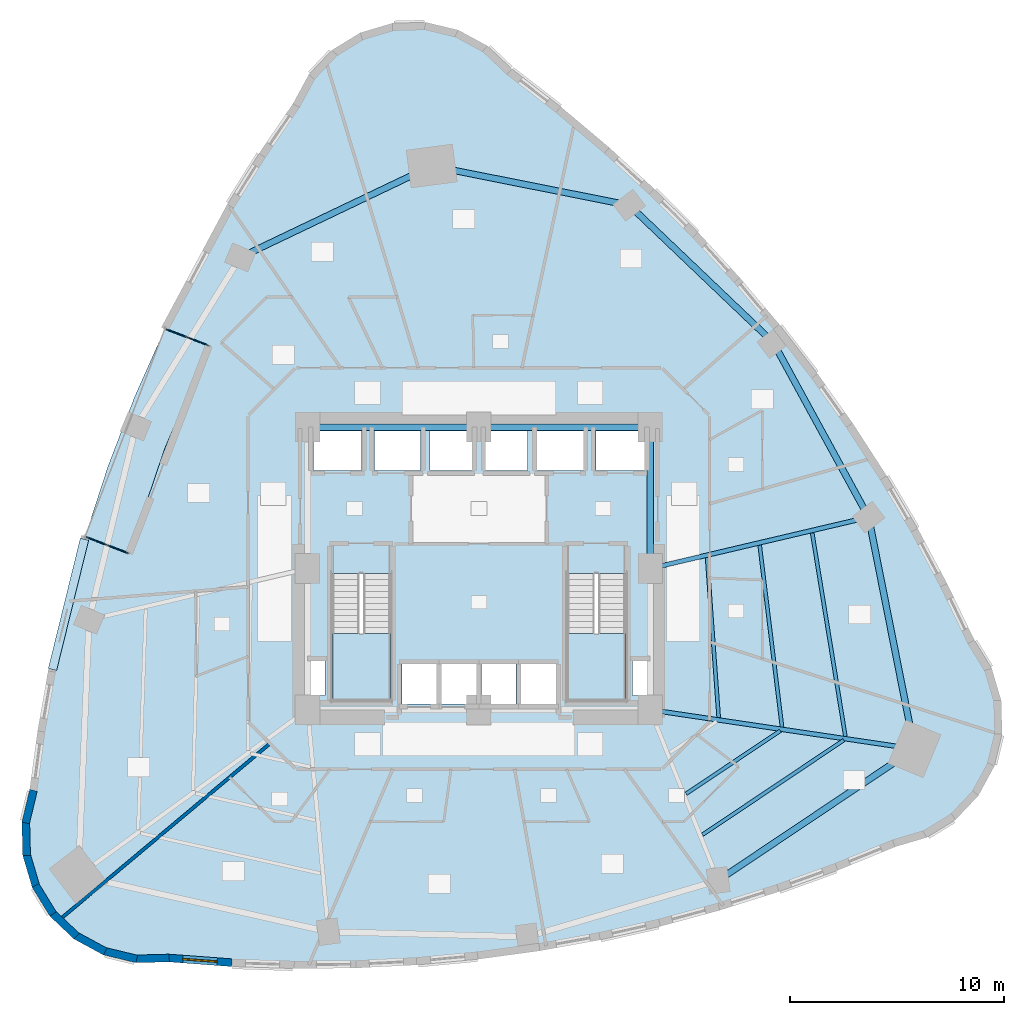
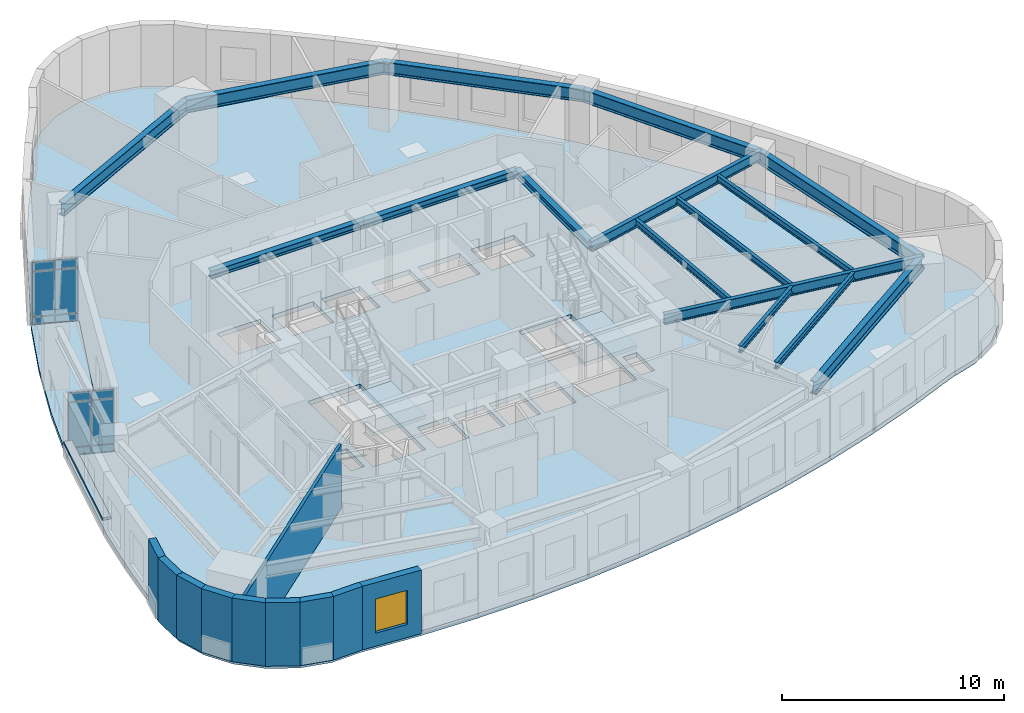
# One storey, part 4 of 12: 16 beams, 13 plates, 10 walls, 4 slabs, 1 window, 1 opening, 4 elements without a shape of their own.
"""IFC4 building model written with IfcOpenShell, lengths in metres."""

from ifc_helpers import new_model, si_unit, direction, frame, frame_2d, origin, origin_2d, place, context, subcontext, project, spatial, polyline, rectangle, i_section, outline, extrude, material, layer, layer_set, material_profile, profile_set, type_object, element, fill, aggregate, save


model = new_model("IFC4")

# Units and contexts
model_context = context("Model", 3, precision=1e-05, world=origin(), true_north=direction((0.0, 1.0)))
body_context = subcontext(model_context, "Body", "Model", "MODEL_VIEW")
ifc_project = project(units=[si_unit("LENGTHUNIT", "METRE"), si_unit("AREAUNIT", "SQUARE_METRE"), si_unit("VOLUMEUNIT", "CUBIC_METRE"), si_unit("PLANEANGLEUNIT", "RADIAN"), si_unit("MASSUNIT", "GRAM", prefix="KILO")], contexts=[model_context])

# Site, building, storey
site_placement = place(None, origin())
site = spatial("IfcSite", under=ifc_project, at=site_placement, CompositionType="ELEMENT")
building_placement = place(site_placement, origin())
building = spatial("IfcBuilding", under=site, at=building_placement, Name="Ndelora Gate Hotel", CompositionType="ELEMENT")
storey_placement = place(building_placement, frame((0.0, 0.0, 68.0)))
storey = spatial("IfcBuildingStorey", under=building, at=storey_placement, Name="L16", CompositionType="ELEMENT", Elevation=68.0)

# Beams
ifc_material_1 = material(Name="Steel S355", Category="steel")
ifc_material_profile_1 = material_profile(ifc_material_1, i_section(OverallWidth=0.300048828125, OverallDepth=0.39990234375, WebThickness=0.013427734375, FlangeThickness=0.02392578125, FilletRadius=0.027099609375, at=origin_2d()), Name="HEB 400")
ifc_profile_set_1 = profile_set([ifc_material_profile_1], Name="Steel S355")
beam_type_1 = type_object("IfcBeamType", Name="BM-CORE-400", PredefinedType="BEAM", material=ifc_profile_set_1)
for number, where, z_axis, x_axis, name in (
    (1, (-8.0, 6.60009765625, 3.300048828125), (1.0, 0.0, 0.0), (0.0, 1.0, 0.0), "L16 Core Tie Girder CC7-CC6"),
    (2, (0.0, 6.60009765625, 3.300048828125), (1.0, 0.0, 0.0), (0.0, 1.0, 0.0), "L16 Core Tie Girder CC6-CC5"),
):
    element("IfcBeam", number, at=place(storey_placement, frame(where, z_axis=z_axis, x_axis=x_axis)), inside=storey, type_object=beam_type_1, Name=name, PredefinedType="BEAM", context=body_context, shape_type="SweptSolid", body=[
        extrude(i_section(OverallWidth=0.300048828125, OverallDepth=0.39990234375, WebThickness=0.013427734375, FlangeThickness=0.02392578125, FilletRadius=0.027099609375, at=origin_2d()), origin(), (0.0, 0.0, 1.0), 8.0),
    ])
beam_1_placement = place(storey_placement, frame((8.0, 0.0, 3.300048828125), z_axis=(0.0, 1.0, 0.0), x_axis=(-1.0, 0.0, 0.0)))
element("IfcBeam", 3, at=beam_1_placement, inside=storey, type_object=beam_type_1, Name="L16 Core Tie Girder CC4-CC5", PredefinedType="BEAM", context=body_context, shape_type="SweptSolid", body=[
    extrude(i_section(OverallWidth=0.300048828125, OverallDepth=0.39990234375, WebThickness=0.013427734375, FlangeThickness=0.02392578125, FilletRadius=0.027099609375, at=origin_2d()), origin(), (0.0, 0.0, 1.0), 6.60009765625),
])
ifc_material_profile_2 = material_profile(ifc_material_1, i_section(OverallWidth=0.169921875, OverallDepth=0.360107421875, WebThickness=0.008056640625, FlangeThickness=0.0126953125, FilletRadius=0.01806640625, at=origin_2d()), Name="IPE 360")
ifc_profile_set_2 = profile_set([ifc_material_profile_2], Name="Steel S355")
beam_type_2 = type_object("IfcBeamType", Name="BM-JST-360", PredefinedType="JOIST", material=ifc_profile_set_2)
beam_2_placement = place(storey_placement, frame((9.685302734375, -10.520751953125, 3.320068359375), z_axis=(0.83093347578, 0.556371781121, 0.0), x_axis=(-0.556371781121, 0.83093347578, 0.0)))
element("IfcBeam", 4, at=beam_2_placement, inside=storey, type_object=beam_type_2, Name="L16 Secondary Composite Floor Joist MID-8", PredefinedType="JOIST", context=body_context, shape_type="SweptSolid", body=[
    extrude(i_section(OverallWidth=0.169921875, OverallDepth=0.360107421875, WebThickness=0.008056640625, FlangeThickness=0.0126953125, FilletRadius=0.01806640625, at=origin_2d()), origin(), (0.0, 0.0, 1.0), 5.2880859375),
])
beam_3_placement = place(storey_placement, frame((10.448486328125, -12.433349609375, 3.320068359375), z_axis=(0.830936507521, 0.556367253231, 0.0), x_axis=(-0.556367253231, 0.830936507521, 0.0)))
element("IfcBeam", 5, at=beam_3_placement, inside=storey, type_object=beam_type_2, Name="L16 Secondary Composite Floor Joist OUT-8", PredefinedType="JOIST", context=body_context, shape_type="SweptSolid", body=[
    extrude(i_section(OverallWidth=0.169921875, OverallDepth=0.360107421875, WebThickness=0.008056640625, FlangeThickness=0.0126953125, FilletRadius=0.01806640625, at=origin_2d()), origin(), (0.0, 0.0, 1.0), 7.936767578125),
])
beam_4_placement = place(storey_placement, frame((11.20263671875, -6.9609375, 3.320068359375), z_axis=(-0.072176031603, 0.997391909162, 0.0), x_axis=(-0.997391909162, -0.072176031603, 0.0)))
element("IfcBeam", 6, at=beam_4_placement, inside=storey, type_object=beam_type_2, Name="L16 Secondary Composite Floor Joist IN-9", PredefinedType="JOIST", context=body_context, shape_type="SweptSolid", body=[
    extrude(i_section(OverallWidth=0.169921875, OverallDepth=0.360107421875, WebThickness=0.008056640625, FlangeThickness=0.0126953125, FilletRadius=0.01806640625, at=origin_2d()), origin(), (0.0, 0.0, 1.0), 7.489013671875),
])
beam_5_placement = place(storey_placement, frame((14.160888671875, -7.400390625, 3.320068359375), z_axis=(-0.122030984704, 0.992526291225, 0.0), x_axis=(-0.992526291225, -0.122030984704, 0.0)))
element("IfcBeam", 7, at=beam_5_placement, inside=storey, type_object=beam_type_2, Name="L16 Secondary Composite Floor Joist MID-9", PredefinedType="JOIST", context=body_context, shape_type="SweptSolid", body=[
    extrude(i_section(OverallWidth=0.169921875, OverallDepth=0.360107421875, WebThickness=0.008056640625, FlangeThickness=0.0126953125, FilletRadius=0.01806640625, at=origin_2d()), origin(), (0.0, 0.0, 1.0), 8.548828125),
])
beam_6_placement = place(storey_placement, frame((17.12060546875, -7.840087890625, 3.320068359375), z_axis=(-0.160901992796, 0.986970388975, 0.0), x_axis=(-0.986970388975, -0.160901992796, 0.0)))
element("IfcBeam", 8, at=beam_6_placement, inside=storey, type_object=beam_type_2, Name="L16 Secondary Composite Floor Joist OUT-9", PredefinedType="JOIST", context=body_context, shape_type="SweptSolid", body=[
    extrude(i_section(OverallWidth=0.169921875, OverallDepth=0.360107421875, WebThickness=0.008056640625, FlangeThickness=0.0126953125, FilletRadius=0.01806640625, at=origin_2d()), origin(), (0.0, 0.0, 1.0), 9.6259765625),
])
ifc_material_profile_3 = material_profile(ifc_material_1, i_section(OverallWidth=0.2099609375, OverallDepth=0.550048828125, WebThickness=0.010986328125, FlangeThickness=0.01708984375, FilletRadius=0.02392578125, at=origin_2d()), Name="IPE 550")
ifc_profile_set_3 = profile_set([ifc_material_profile_3], Name="Steel S355")
beam_type_3 = type_object("IfcBeamType", Name="BM-RAD-550", PredefinedType="BEAM", material=ifc_profile_set_3)
beam_7_placement = place(storey_placement, frame((8.0, -6.60009765625, 3.22509765625), z_axis=(0.989209761041, -0.146506138649, 0.0), x_axis=(0.146506138649, 0.989209761041, 0.0)))
element("IfcBeam", 9, at=beam_7_placement, inside=storey, type_object=beam_type_3, Name="L16 Radial Floor Girder 9", PredefinedType="BEAM", context=body_context, shape_type="SweptSolid", body=[
    extrude(i_section(OverallWidth=0.2099609375, OverallDepth=0.550048828125, WebThickness=0.010986328125, FlangeThickness=0.01708984375, FilletRadius=0.02392578125, at=origin_2d()), origin(), (0.0, 0.0, 1.0), 12.48486328125),
])
beam_8_placement = place(storey_placement, frame((8.0, 0.0, 3.22509765625), z_axis=(0.973517848051, 0.22861102232, 0.0), x_axis=(-0.22861102232, 0.973517848051, 0.0)))
element("IfcBeam", 10, at=beam_8_placement, inside=storey, type_object=beam_type_3, Name="L16 Radial Floor Girder 10", PredefinedType="BEAM", context=body_context, shape_type="SweptSolid", body=[
    extrude(i_section(OverallWidth=0.2099609375, OverallDepth=0.550048828125, WebThickness=0.010986328125, FlangeThickness=0.01708984375, FilletRadius=0.02392578125, at=origin_2d()), origin(), (0.0, 0.0, 1.0), 10.48486328125),
])
ifc_material_profile_4 = material_profile(ifc_material_1, i_section(OverallWidth=0.300048828125, OverallDepth=0.699951171875, WebThickness=0.01708984375, FlangeThickness=0.031982421875, FilletRadius=0.027099609375, at=origin_2d()), Name="HEB 700")
ifc_profile_set_4 = profile_set([ifc_material_profile_4], Name="Steel S355")
beam_type_4 = type_object("IfcBeamType", Name="BM-RING-700", PredefinedType="SPANDREL", material=ifc_profile_set_4)
beam_9_placement = place(storey_placement, frame((-2.199951171875, 18.800048828125, 3.14990234375), z_axis=(-0.902476034566, -0.43074006899, 0.0), x_axis=(0.43074006899, -0.902476034566, 0.0)))
element("IfcBeam", 11, at=beam_9_placement, inside=storey, type_object=beam_type_4, Name="L16 Perimeter Spandrel Girder 1", PredefinedType="SPANDREL", context=body_context, shape_type="SweptSolid", body=[
    extrude(i_section(OverallWidth=0.300048828125, OverallDepth=0.699951171875, WebThickness=0.01708984375, FlangeThickness=0.031982421875, FilletRadius=0.027099609375, at=origin_2d()), origin(), (0.0, 0.0, 1.0), 9.91552734375),
])
beam_10_placement = place(storey_placement, frame((11.179443359375, -14.5693359375, 3.14990234375), z_axis=(0.830945983886, 0.556353099985, 0.0), x_axis=(-0.556353099985, 0.830945983886, 0.0)))
element("IfcBeam", 12, at=beam_10_placement, inside=storey, type_object=beam_type_4, Name="L16 Perimeter Spandrel Girder 8", PredefinedType="SPANDREL", context=body_context, shape_type="SweptSolid", body=[
    extrude(i_section(OverallWidth=0.300048828125, OverallDepth=0.699951171875, WebThickness=0.01708984375, FlangeThickness=0.031982421875, FilletRadius=0.027099609375, at=origin_2d()), origin(), (0.0, 0.0, 1.0), 11.036376953125),
])
beam_11_placement = place(storey_placement, frame((20.35009765625, -8.42919921875, 3.14990234375), z_axis=(-0.194163071691, 0.980969266385, 0.0), x_axis=(-0.980969266385, -0.194163071691, 0.0)))
element("IfcBeam", 13, at=beam_11_placement, inside=storey, type_object=beam_type_4, Name="L16 Perimeter Spandrel Girder 9", PredefinedType="SPANDREL", context=body_context, shape_type="SweptSolid", body=[
    extrude(i_section(OverallWidth=0.300048828125, OverallDepth=0.699951171875, WebThickness=0.01708984375, FlangeThickness=0.031982421875, FilletRadius=0.027099609375, at=origin_2d()), origin(), (0.0, 0.0, 1.0), 11.0361328125),
])
for number, where, z_axis, x_axis, name in (
    (14, (18.207275390625, 2.39697265625, 3.14990234375), (-0.479203651005, 0.87770374322, 0.0), (-0.87770374322, -0.479203651005, 0.0), "L16 Perimeter Spandrel Girder 10"),
    (15, (13.75390625, 10.5537109375, 3.14990234375), (-0.723784227769, 0.690026370244, 0.0), (-0.690026370244, -0.723784227769, 0.0), "L16 Perimeter Spandrel Girder 11"),
):
    element("IfcBeam", number, at=place(storey_placement, frame(where, z_axis=z_axis, x_axis=x_axis)), inside=storey, type_object=beam_type_4, Name=name, PredefinedType="SPANDREL", context=body_context, shape_type="SweptSolid", body=[
        extrude(i_section(OverallWidth=0.300048828125, OverallDepth=0.699951171875, WebThickness=0.01708984375, FlangeThickness=0.031982421875, FilletRadius=0.027099609375, at=origin_2d()), origin(), (0.0, 0.0, 1.0), 9.293212890625),
    ])
beam_12_placement = place(storey_placement, frame((7.027587890625, 16.96630859375, 3.14990234375), z_axis=(-0.980820478164, 0.194913287424, 0.0), x_axis=(-0.194913287424, -0.980820478164, 0.0)))
element("IfcBeam", 16, at=beam_12_placement, inside=storey, type_object=beam_type_4, Name="L16 Perimeter Spandrel Girder 12", PredefinedType="SPANDREL", context=body_context, shape_type="SweptSolid", body=[
    extrude(i_section(OverallWidth=0.300048828125, OverallDepth=0.699951171875, WebThickness=0.01708984375, FlangeThickness=0.031982421875, FilletRadius=0.027099609375, at=origin_2d()), origin(), (0.0, 0.0, 1.0), 9.407958984375),
])

# Curtain wall, plates
ifc_material_2 = material(Name="Bronze Anodised Unitised Aluminium and Low-E Glass", Category="aluminium")
ifc_layer_1 = layer(ifc_material_2, 0.199951171875)
ifc_layer_set_1 = layer_set([ifc_layer_1], Name="Bronze Anodised Unitised Aluminium and Low-E Glass")
curtain_wall_type = type_object("IfcCurtainWallType", Name="CW-SYS-3", PredefinedType="NOTDEFINED", material=ifc_layer_set_1)
curtain_wall_1_placement = place(storey_placement, origin())
curtain_wall_1 = element("IfcCurtainWall", 17, at=curtain_wall_1_placement, inside=storey, type_object=curtain_wall_type, Name="L16 Sky-Garden Loggia Side Curtain Wall CW3-1", PredefinedType="NOTDEFINED")
ifc_material_3 = material(Name="Solar-Control Low-E Insulated Glazing", Category="glass")
ifc_layer_2 = layer(ifc_material_3, 0.048095703125)
ifc_layer_set_2 = layer_set([ifc_layer_2], Name="Solar-Control Low-E Insulated Glazing")
plate_type_1 = type_object("IfcPlateType", Name="PL-CW-GLZ36", PredefinedType="CURTAIN_PANEL", material=ifc_layer_set_2)
plate_1_placement = place(storey_placement, frame((-13.13720703125, 10.613037109375, 0.05908203125), z_axis=(0.0, 0.0, 1.0), x_axis=(-0.93358321574, 0.358360683234, 0.0)))
plate_1 = element("IfcPlate", 18, at=plate_1_placement, type_object=plate_type_1, Name="CW3 panel 1.1", PredefinedType="CURTAIN_PANEL", context=body_context, shape_type="SweptSolid", body=[
    extrude(rectangle(XDim=1.014404296875, YDim=0.048095703125, at=origin_2d()), origin(), (0.0, 0.0, 1.0), 0.364501953125),
])
plate_2_placement = place(storey_placement, frame((-13.13720703125, 10.613037109375, 0.4765625), z_axis=(0.0, 0.0, 1.0), x_axis=(-0.93358321574, 0.358360683234, 0.0)))
plate_2 = element("IfcPlate", 19, at=plate_2_placement, type_object=plate_type_1, Name="CW3 panel 1.2", PredefinedType="CURTAIN_PANEL", context=body_context, shape_type="SweptSolid", body=[
    extrude(rectangle(XDim=1.014404296875, YDim=0.048095703125, at=origin_2d()), origin(), (0.0, 0.0, 1.0), 2.447021484375),
])
plate_3_placement = place(storey_placement, frame((-13.13720703125, 10.613037109375, 2.9765625), z_axis=(0.0, 0.0, 1.0), x_axis=(-0.93358321574, 0.358360683234, 0.0)))
plate_3 = element("IfcPlate", 20, at=plate_3_placement, type_object=plate_type_1, Name="CW3 panel 1.3", PredefinedType="CURTAIN_PANEL", context=body_context, shape_type="SweptSolid", body=[
    extrude(rectangle(XDim=1.014404296875, YDim=0.048095703125, at=origin_2d()), origin(), (0.0, 0.0, 1.0), 0.464599609375),
])
plate_4_placement = place(storey_placement, frame((-14.1337890625, 10.995361328125, 0.05908203125), z_axis=(0.0, 0.0, 1.0), x_axis=(-0.93358321574, 0.358360683234, 0.0)))
plate_4 = element("IfcPlate", 21, at=plate_4_placement, type_object=plate_type_1, Name="CW3 panel 2.1", PredefinedType="CURTAIN_PANEL", context=body_context, shape_type="SweptSolid", body=[
    extrude(rectangle(XDim=1.014404296875, YDim=0.048095703125, at=origin_2d()), origin(), (0.0, 0.0, 1.0), 0.364501953125),
])
plate_5_placement = place(storey_placement, frame((-14.1337890625, 10.995361328125, 0.4765625), z_axis=(0.0, 0.0, 1.0), x_axis=(-0.93358321574, 0.358360683234, 0.0)))
plate_5 = element("IfcPlate", 22, at=plate_5_placement, type_object=plate_type_1, Name="CW3 panel 2.2", PredefinedType="CURTAIN_PANEL", context=body_context, shape_type="SweptSolid", body=[
    extrude(rectangle(XDim=1.014404296875, YDim=0.048095703125, at=origin_2d()), origin(), (0.0, 0.0, 1.0), 2.447021484375),
])
plate_6_placement = place(storey_placement, frame((-14.1337890625, 10.995361328125, 2.9765625), z_axis=(0.0, 0.0, 1.0), x_axis=(-0.93358321574, 0.358360683234, 0.0)))
plate_6 = element("IfcPlate", 23, at=plate_6_placement, type_object=plate_type_1, Name="CW3 panel 2.3", PredefinedType="CURTAIN_PANEL", context=body_context, shape_type="SweptSolid", body=[
    extrude(rectangle(XDim=1.014404296875, YDim=0.048095703125, at=origin_2d()), origin(), (0.0, 0.0, 1.0), 0.464599609375),
])
aggregate(curtain_wall_1, [plate_1, plate_2, plate_3, plate_4, plate_5, plate_6])

curtain_wall_2_placement = place(storey_placement, origin())
curtain_wall_2 = element("IfcCurtainWall", 24, at=curtain_wall_2_placement, inside=storey, type_object=curtain_wall_type, Name="L16 Sky-Garden Loggia Side Curtain Wall CW3-2", PredefinedType="NOTDEFINED")
plate_7_placement = place(storey_placement, frame((-17.86083984375, 1.2861328125, 0.05908203125), z_axis=(0.0, 0.0, 1.0), x_axis=(0.933577378035, -0.35837589096, 0.0)))
plate_7 = element("IfcPlate", 25, at=plate_7_placement, type_object=plate_type_1, Name="CW3 panel 1.1", PredefinedType="CURTAIN_PANEL", context=body_context, shape_type="SweptSolid", body=[
    extrude(rectangle(XDim=1.014404296875, YDim=0.048095703125, at=origin_2d()), origin(), (0.0, 0.0, 1.0), 0.364501953125),
])
plate_8_placement = place(storey_placement, frame((-17.86083984375, 1.2861328125, 0.4765625), z_axis=(0.0, 0.0, 1.0), x_axis=(0.933577378035, -0.35837589096, 0.0)))
plate_8 = element("IfcPlate", 26, at=plate_8_placement, type_object=plate_type_1, Name="CW3 panel 1.2", PredefinedType="CURTAIN_PANEL", context=body_context, shape_type="SweptSolid", body=[
    extrude(rectangle(XDim=1.014404296875, YDim=0.048095703125, at=origin_2d()), origin(), (0.0, 0.0, 1.0), 2.447021484375),
])
plate_9_placement = place(storey_placement, frame((-17.86083984375, 1.2861328125, 2.9765625), z_axis=(0.0, 0.0, 1.0), x_axis=(0.933577378035, -0.35837589096, 0.0)))
plate_9 = element("IfcPlate", 27, at=plate_9_placement, type_object=plate_type_1, Name="CW3 panel 1.3", PredefinedType="CURTAIN_PANEL", context=body_context, shape_type="SweptSolid", body=[
    extrude(rectangle(XDim=1.014404296875, YDim=0.048095703125, at=origin_2d()), origin(), (0.0, 0.0, 1.0), 0.464599609375),
])
plate_10_placement = place(storey_placement, frame((-16.8642578125, 0.903564453125, 0.05908203125), z_axis=(0.0, 0.0, 1.0), x_axis=(0.933577378035, -0.35837589096, 0.0)))
plate_10 = element("IfcPlate", 28, at=plate_10_placement, type_object=plate_type_1, Name="CW3 panel 2.1", PredefinedType="CURTAIN_PANEL", context=body_context, shape_type="SweptSolid", body=[
    extrude(rectangle(XDim=1.014404296875, YDim=0.048095703125, at=origin_2d()), origin(), (0.0, 0.0, 1.0), 0.364501953125),
])
plate_11_placement = place(storey_placement, frame((-16.8642578125, 0.903564453125, 0.4765625), z_axis=(0.0, 0.0, 1.0), x_axis=(0.933577378035, -0.35837589096, 0.0)))
plate_11 = element("IfcPlate", 29, at=plate_11_placement, type_object=plate_type_1, Name="CW3 panel 2.2", PredefinedType="CURTAIN_PANEL", context=body_context, shape_type="SweptSolid", body=[
    extrude(rectangle(XDim=1.014404296875, YDim=0.048095703125, at=origin_2d()), origin(), (0.0, 0.0, 1.0), 2.447021484375),
])
plate_12_placement = place(storey_placement, frame((-16.8642578125, 0.903564453125, 2.9765625), z_axis=(0.0, 0.0, 1.0), x_axis=(0.933577378035, -0.35837589096, 0.0)))
plate_12 = element("IfcPlate", 30, at=plate_12_placement, type_object=plate_type_1, Name="CW3 panel 2.3", PredefinedType="CURTAIN_PANEL", context=body_context, shape_type="SweptSolid", body=[
    extrude(rectangle(XDim=1.014404296875, YDim=0.048095703125, at=origin_2d()), origin(), (0.0, 0.0, 1.0), 0.464599609375),
])
aggregate(curtain_wall_2, [plate_7, plate_8, plate_9, plate_10, plate_11, plate_12])

# Plate
ifc_material_4 = material(Name="Precast concrete C40/50", Category="concrete")
ifc_layer_3 = layer(ifc_material_4, 0.125)
ifc_layer_set_3 = layer_set([ifc_layer_3], Name="Precast concrete C40/50")
plate_type_2 = type_object("IfcPlateType", Name="PL-SILL-120", PredefinedType="USERDEFINED", material=ifc_layer_set_3)
plate_13_placement = place(storey_placement, frame((-19.16748046875, -1.674560546875, 0.78759765625), z_axis=(0.0, 0.0, 1.0), x_axis=(0.238702948851, 0.971092633177, 0.0)))
element("IfcPlate", 31, at=plate_13_placement, inside=storey, type_object=plate_type_2, Name="L16 Streamline Precast Ribbon Sill 16", ObjectType="RIBBON_SILL", PredefinedType="USERDEFINED", context=body_context, shape_type="SweptSolid", body=[
    extrude(rectangle(XDim=6.26611328125, YDim=0.39990234375, at=origin_2d()), origin(), (0.0, 0.0, 1.0), 0.125),
])

# Stair, slab
stair_type = type_object("IfcStairType", Name="STR-DOG-CORE", PredefinedType="HALF_TURN_STAIR", material=ifc_material_4)
stair_1_placement = place(storey_placement, origin())
stair_1 = element("IfcStair", 32, at=stair_1_placement, inside=storey, type_object=stair_type, Name="L16 Protected Core Exit Stair ST4", PredefinedType="HALF_TURN_STAIR")
ifc_layer_4 = layer(ifc_material_4, 0.219970703125)
ifc_layer_set_4 = layer_set([ifc_layer_4], Name="Precast concrete C40/50")
slab_type_1 = type_object("IfcSlabType", Name="SL-LAND-220", PredefinedType="LANDING", material=ifc_layer_set_4)
slab_1_placement = place(storey_placement, frame((0.0, 0.0, 1.675048828125)))
slab_1 = element("IfcSlab", 33, at=slab_1_placement, type_object=slab_type_1, Name="ST4 landing 1", PredefinedType="LANDING", context=body_context, shape_type="SweptSolid", body=[
    extrude(outline(polyline([(-6.85009765625, -3.030029296875), (-6.85009765625, -6.14990234375), (-4.1298828125, -6.14990234375), (-4.1298828125, -3.030029296875), (-6.85009765625, -3.030029296875)])), origin(), (0.0, 0.0, 1.0), 0.199951171875),
])
aggregate(stair_1, [slab_1])

stair_2_placement = place(storey_placement, origin())
stair_2 = element("IfcStair", 34, at=stair_2_placement, inside=storey, type_object=stair_type, Name="L16 Protected Core Exit Stair ST5", PredefinedType="HALF_TURN_STAIR")
slab_2_placement = place(storey_placement, frame((0.0, 0.0, 1.675048828125)))
slab_2 = element("IfcSlab", 35, at=slab_2_placement, type_object=slab_type_1, Name="ST5 landing 1", PredefinedType="LANDING", context=body_context, shape_type="SweptSolid", body=[
    extrude(outline(polyline([(4.1298828125, -3.030029296875), (4.1298828125, -6.14990234375), (6.85009765625, -6.14990234375), (6.85009765625, -3.030029296875), (4.1298828125, -3.030029296875)])), origin(), (0.0, 0.0, 1.0), 0.199951171875),
])
aggregate(stair_2, [slab_2])

# Slabs
ifc_layer_5 = layer(ifc_material_4, 0.239990234375)
ifc_layer_set_5 = layer_set([ifc_layer_5], Name="Precast concrete C40/50")
slab_type_2 = type_object("IfcSlabType", Name="SL-TER-240", PredefinedType="FLOOR", material=ifc_layer_set_5)
slab_3_placement = place(storey_placement, frame((0.0, 0.0, -0.239990234375)))
element("IfcSlab", 36, at=slab_3_placement, inside=storey, type_object=slab_type_2, Name="L16 Sky Garden Loggia Terrace Slab", PredefinedType="FLOOR", context=body_context, shape_type="SweptSolid", body=[
    extrude(outline(polyline([(-12.608642578125, 10.409912109375), (-14.66259765625, 11.198486328125), (-16.059326171875, 8.058349609375), (-17.326416015625, 4.757080078125), (-18.389404296875, 1.489013671875), (-16.335693359375, 0.70068359375), (-14.660888671875, 5.627685546875), (-12.608642578125, 10.409912109375)])), origin(), (0.0, 0.0, 1.0), 0.239990234375),
])
ifc_material_5 = material(Name="Concrete C40/50", Category="concrete")
ifc_layer_6 = layer(ifc_material_5, 0.25)
ifc_layer_set_6 = layer_set([ifc_layer_6], Name="Concrete C40/50")
slab_type_3 = type_object("IfcSlabType", Name="SL-TWR-250", PredefinedType="FLOOR", material=ifc_layer_set_6)
slab_4_placement = place(storey_placement, frame((0.0, 0.0, -0.25)))
element("IfcSlab", 37, at=slab_4_placement, inside=storey, type_object=slab_type_3, Name="L16 Structural Floor Slab", PredefinedType="FLOOR", context=body_context, shape_type="SweptSolid", body=[
    extrude(outline(polyline([(1.40869140625, 23.214111328125), (0.310546875, 24.25634765625), (-1.02001953125, 24.978759765625), (-2.492431640625, 25.332275390625), (-4.006103515625, 25.29248046875), (-5.457763671875, 24.862548828125), (-6.748779296875, 24.0712890625), (-7.791015625, 22.97314453125), (-8.513427734375, 21.642578125), (-10.101806640625, 19.312255859375), (-11.584716796875, 16.941650390625), (-14.66259765625, 11.198486328125), (-12.608642578125, 10.409912109375), (-14.660888671875, 5.627685546875), (-16.335693359375, 0.70068359375), (-18.389404296875, 1.489013671875), (-19.9453125, -4.83837890625), (-20.429443359375, -7.592529296875), (-20.808349609375, -10.386962890625), (-21.161865234375, -11.859130859375), (-21.122314453125, -13.372802734375), (-20.692138671875, -14.82470703125), (-19.90087890625, -16.115478515625), (-18.802734375, -17.15771484375), (-17.47216796875, -17.88037109375), (-16.0, -18.233642578125), (-14.486328125, -18.194091796875), (-11.557373046875, -18.410888671875), (-8.6474609375, -18.5068359375), (-5.756591796875, -18.48193359375), (-2.885009765625, -18.336669921875), (-0.03271484375, -18.0703125), (2.80078125, -17.68359375), (5.614990234375, -17.17578125), (8.41015625, -16.547607421875), (11.186279296875, -15.798583984375), (13.943115234375, -14.9287109375), (16.680908203125, -13.938232421875), (19.3994140625, -12.8271484375), (20.851318359375, -12.397216796875), (22.142333984375, -11.60595703125), (23.1845703125, -10.5078125), (23.906982421875, -9.177001953125), (24.260498046875, -7.704833984375), (24.220703125, -6.191162109375), (23.790771484375, -4.739501953125), (22.999755859375, -3.448486328125), (21.722900390625, -0.803466796875), (20.35107421875, 1.764404296875), (18.88427734375, 4.255615234375), (17.322509765625, 6.669677734375), (15.665771484375, 9.007080078125), (13.9140625, 11.267333984375), (12.067138671875, 13.45068359375), (10.12548828125, 15.55712890625), (8.0888671875, 17.5869140625), (5.95703125, 19.53955078125), (3.73046875, 21.415283203125), (1.40869140625, 23.214111328125)]), holes=[polyline([(-6.85009765625, -0.22998046875), (-6.85009765625, -6.14990234375), (-4.1298828125, -6.14990234375), (-4.1298828125, -0.22998046875), (-6.85009765625, -0.22998046875)]), polyline([(4.1298828125, -0.22998046875), (4.1298828125, -6.14990234375), (6.85009765625, -6.14990234375), (6.85009765625, -0.22998046875), (4.1298828125, -0.22998046875)]), polyline([(-7.72998046875, 4.570068359375), (-5.469970703125, 4.570068359375), (-5.469970703125, 6.429931640625), (-7.72998046875, 6.429931640625), (-7.72998046875, 4.570068359375)]), polyline([(5.469970703125, 4.570068359375), (7.72998046875, 4.570068359375), (7.72998046875, 6.429931640625), (5.469970703125, 6.429931640625), (5.469970703125, 4.570068359375)]), polyline([(-4.8798828125, 4.570068359375), (-2.719970703125, 4.570068359375), (-2.719970703125, 6.429931640625), (-4.8798828125, 6.429931640625), (-4.8798828125, 4.570068359375)]), polyline([(2.719970703125, 4.570068359375), (4.8798828125, 4.570068359375), (4.8798828125, 6.429931640625), (2.719970703125, 6.429931640625), (2.719970703125, 4.570068359375)]), polyline([(-3.60009765625, -6.330078125), (-1.97998046875, -6.330078125), (-1.97998046875, -4.469970703125), (-3.60009765625, -4.469970703125), (-3.60009765625, -6.330078125)]), polyline([(-1.739990234375, -6.330078125), (-0.1201171875, -6.330078125), (-0.1201171875, -4.469970703125), (-1.739990234375, -4.469970703125), (-1.739990234375, -6.330078125)]), polyline([(0.1201171875, -6.330078125), (1.739990234375, -6.330078125), (1.739990234375, -4.469970703125), (0.1201171875, -4.469970703125), (0.1201171875, -6.330078125)]), polyline([(1.97998046875, -6.330078125), (3.60009765625, -6.330078125), (3.60009765625, -4.469970703125), (1.97998046875, -4.469970703125), (1.97998046875, -6.330078125)]), polyline([(-2.280029296875, 4.570068359375), (-0.320068359375, 4.570068359375), (-0.320068359375, 6.429931640625), (-2.280029296875, 6.429931640625), (-2.280029296875, 4.570068359375)]), polyline([(0.320068359375, 4.570068359375), (2.280029296875, 4.570068359375), (2.280029296875, 6.429931640625), (0.320068359375, 6.429931640625), (0.320068359375, 4.570068359375)]), polyline([(-7.89990234375, -5.919921875), (-7.179931640625, -5.919921875), (-7.179931640625, -4.320068359375), (-7.89990234375, -4.320068359375), (-7.89990234375, -5.919921875)]), polyline([(7.179931640625, -5.919921875), (7.89990234375, -5.919921875), (7.89990234375, -4.320068359375), (7.179931640625, -4.320068359375), (7.179931640625, -5.919921875)])]), origin(), (0.0, 0.0, 1.0), 0.25),
])

# Walls
ifc_material_6 = material(Name="Clay Brick Masonry", Category="masonry")
ifc_layer_7 = layer(ifc_material_6, 0.360107421875)
ifc_layer_set_7 = layer_set([ifc_layer_7], Name="Clay Brick Masonry")
wall_type_1 = type_object("IfcWallType", Name="WL-BRICK-360", PredefinedType="SOLIDWALL", material=ifc_layer_set_7)
for number, where, z_axis, x_axis, name in (
    (38, (-21.16748046875, -11.883544921875, 0.0), (0.0, 0.0, 1.0), (0.233378856641, 0.972385884962, 0.0), "L16 Tower Brick Pier-and-Spandrel Wall TWR-19"),
    (39, (-21.12158203125, -13.397705078125, 0.0), (0.0, 0.0, 1.0), (-0.026224581645, 0.999656076517, 0.0), "L16 Tower Brick Pier-and-Spandrel Wall TWR-20"),
):
    element("IfcWall", number, at=place(storey_placement, frame(where, z_axis=z_axis, x_axis=x_axis)), inside=storey, type_object=wall_type_1, Name=name, PredefinedType="SOLIDWALL", context=body_context, shape_type="SweptSolid", body=[
        extrude(rectangle(XDim=1.56396484375, YDim=0.360107421875, at=frame_2d((0.781982421875, 0.0))), origin(), (0.0, 0.0, 1.0), 3.5),
    ])
wall_1_placement = place(storey_placement, frame((-20.68505859375, -14.8486328125, 0.0), z_axis=(0.0, 0.0, 1.0), x_axis=(-0.284067072714, 0.958804410816, 0.0)))
element("IfcWall", 40, at=wall_1_placement, inside=storey, type_object=wall_type_1, Name="L16 Tower Brick Pier-and-Spandrel Wall TWR-21", PredefinedType="SOLIDWALL", context=body_context, shape_type="SweptSolid", body=[
    extrude(rectangle(XDim=1.564208984375, YDim=0.360107421875, at=frame_2d((0.7822265625, 0.0))), origin(), (0.0, 0.0, 1.0), 3.5),
])
for number, where, z_axis, x_axis, name in (
    (41, (-19.887939453125, -16.13671875, 0.0), (0.0, 0.0, 1.0), (-0.522598660144, 0.852578817714, 0.0), "L16 Tower Brick Pier-and-Spandrel Wall TWR-22"),
    (42, (-18.78466796875, -17.175048828125, 0.0), (0.0, 0.0, 1.0), (-0.725361771345, 0.688367852729, 0.0), "L16 Tower Brick Pier-and-Spandrel Wall TWR-23"),
    (43, (-17.4501953125, -17.89208984375, 0.0), (0.0, 0.0, 1.0), (-0.878872132115, 0.477057413098, 0.0), "L16 Tower Brick Pier-and-Spandrel Wall TWR-24"),
    (44, (-15.9755859375, -18.239501953125, 0.0), (0.0, 0.0, 1.0), (-0.972385884962, 0.233378856641, 0.0), "L16 Tower Brick Pier-and-Spandrel Wall TWR-25"),
):
    element("IfcWall", number, at=place(storey_placement, frame(where, z_axis=z_axis, x_axis=x_axis)), inside=storey, type_object=wall_type_1, Name=name, PredefinedType="SOLIDWALL", context=body_context, shape_type="SweptSolid", body=[
        extrude(rectangle(XDim=1.56396484375, YDim=0.360107421875, at=frame_2d((0.781982421875, 0.0))), origin(), (0.0, 0.0, 1.0), 3.5),
    ])
wall_2_placement = place(storey_placement, frame((-14.461181640625, -18.193359375, 0.0), z_axis=(0.0, 0.0, 1.0), x_axis=(-0.999656183846, -0.026220490068, 0.0)))
element("IfcWall", 45, at=wall_2_placement, inside=storey, type_object=wall_type_1, Name="L16 Tower Brick Pier-and-Spandrel Wall TWR-26", PredefinedType="SOLIDWALL", context=body_context, shape_type="SweptSolid", body=[
    extrude(rectangle(XDim=1.564208984375, YDim=0.360107421875, at=frame_2d((0.7822265625, 0.0))), origin(), (0.0, 0.0, 1.0), 3.5),
])

# Wall, opening, window
wall_3_placement = place(storey_placement, frame((-11.532470703125, -18.41259765625, 0.0), z_axis=(0.0, 0.0, 1.0), x_axis=(-0.997278449025, 0.073727166709, 0.0)))
wall_3 = element("IfcWall", 46, at=wall_3_placement, inside=storey, type_object=wall_type_1, Name="L16 Tower Brick Pier-and-Spandrel Wall TWR-27", PredefinedType="SOLIDWALL", context=body_context, shape_type="SweptSolid", body=[
    extrude(rectangle(XDim=2.98681640625, YDim=0.360107421875, at=frame_2d((1.493408203125, 0.0))), origin(), (0.0, 0.0, 1.0), 3.5),
])
opening_placement = place(wall_3_placement, frame((0.693603515625, 0.0, 0.719970703125)))
opening = element("IfcOpeningElement", 47, at=opening_placement, cuts=wall_3, Name="Opening W01", PredefinedType="OPENING", context=body_context, shape_type="SweptSolid", body=[
    extrude(rectangle(XDim=1.60009765625, YDim=1.8798828125, at=frame_2d((0.800048828125, 0.93994140625))), frame((0.0, 0.18994140625, 0.0), z_axis=(0.0, -1.0, 0.0), x_axis=(1.0, 0.0, 0.0)), (0.0, 0.0, 1.0), 0.380126953125),
])
ifc_material_7 = material(Name="Insulated Low-E Double Glazing in Bronze Aluminium Frame", Category="aluminium")
window_type = type_object("IfcWindowType", Name="WN-DEEP-1600", PartitioningType="SINGLE_PANEL", PredefinedType="WINDOW", material=ifc_material_7)
window_placement = place(opening_placement, origin())
window = element("IfcWindow", 48, at=window_placement, inside=storey, type_object=window_type, Name="L16 Deep-Set Brick-Pier Window W01", OverallHeight=1.8798828125, OverallWidth=1.60009765625, PartitioningType="SINGLE_PANEL", PredefinedType="WINDOW", context=body_context, shape_type="SweptSolid", body=[
    extrude(rectangle(XDim=1.60009765625, YDim=1.8798828125, at=frame_2d((0.800048828125, 0.93994140625))), frame((0.0, 0.030029296875, 0.0), z_axis=(0.0, -1.0, 0.0), x_axis=(1.0, 0.0, 0.0)), (0.0, 0.0, 1.0), 0.06005859375),
])
fill(opening, window)

# Wall
ifc_material_8 = material(Name="Fire-Rated Gypsum Stud Partition", Category="gypsum")
ifc_layer_8 = layer(ifc_material_8, 0.14990234375)
ifc_layer_set_8 = layer_set([ifc_layer_8], Name="Fire-Rated Gypsum Stud Partition")
wall_type_2 = type_object("IfcWallType", Name="WL-PART-150", PredefinedType="PARTITIONING", material=ifc_layer_set_8)
wall_4_placement = place(storey_placement, frame((-9.75634765625, -8.173583984375, 0.0), z_axis=(0.0, 0.0, 1.0), x_axis=(-0.766555678026, -0.642177851134, 0.0)))
element("IfcWall", 49, at=wall_4_placement, inside=storey, type_object=wall_type_2, Name="L16 Interior Wall IW-5", PredefinedType="PARTITIONING", context=body_context, shape_type="SweptSolid", body=[
    extrude(rectangle(XDim=12.82763671875, YDim=0.14990234375, at=frame_2d((6.413818359375, 0.0))), origin(), (0.0, 0.0, 1.0), 3.5),
])

save(model, "model.ifc")
